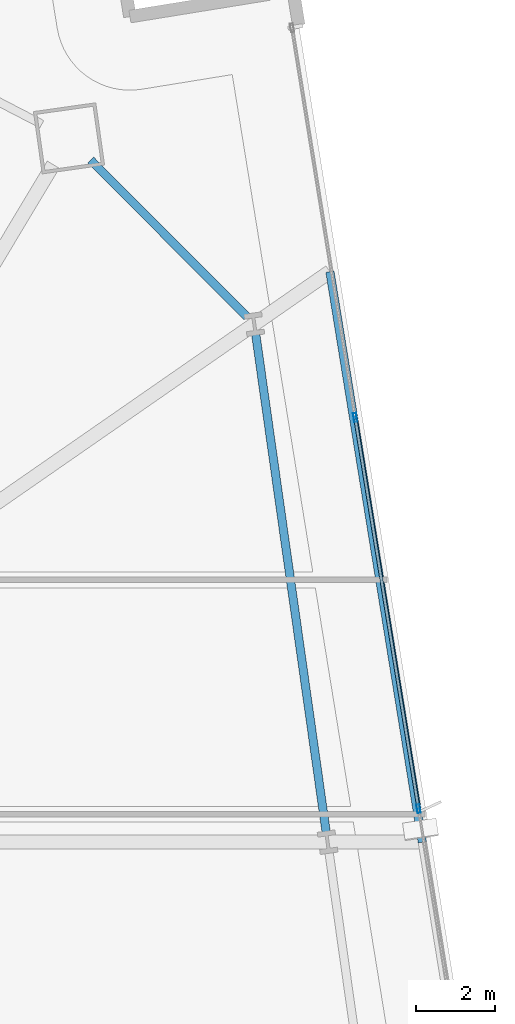
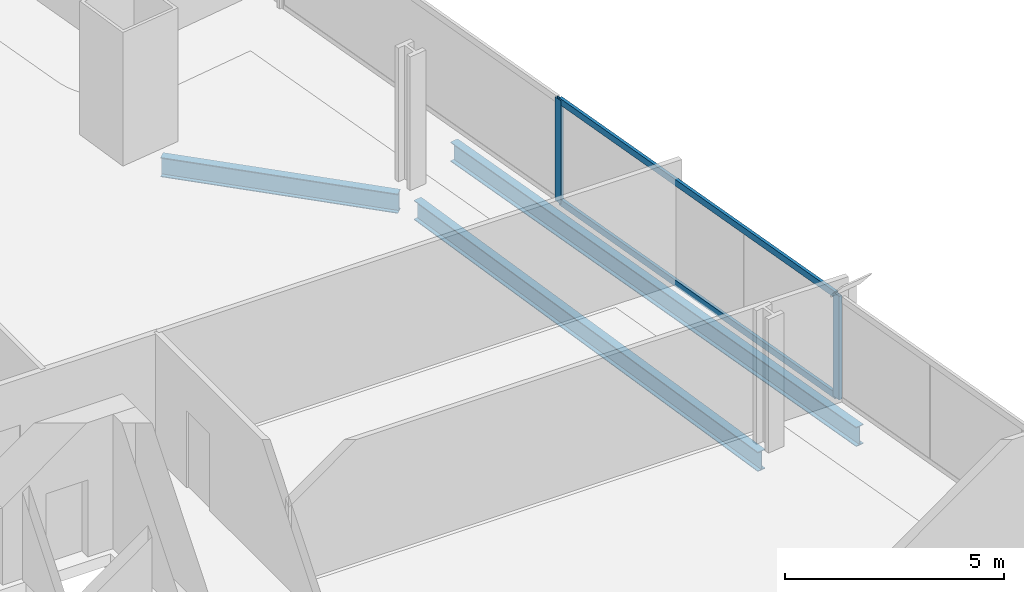
# One storey, part 21 of 33: 4 members, 3 beams, 1 element without a shape of its own.
"""IFC4 building model written with IfcOpenShell, lengths in metres."""

from ifc_helpers import new_model, si_unit, direction, frame, origin, origin_2d, place, context, subcontext, project, spatial, hollow_rectangle, i_section, extrude, material, material_profile, profile_set, type_object, element, aggregate, save


model = new_model("IFC4")

# Units and contexts
model_context = context("Model", 3, precision=1e-05, world=origin(), true_north=direction((0.0, 1.0)))
body_context = subcontext(model_context, "Body", "Model", "MODEL_VIEW")
ifc_project = project(units=[si_unit("LENGTHUNIT", "METRE"), si_unit("AREAUNIT", "SQUARE_METRE"), si_unit("VOLUMEUNIT", "CUBIC_METRE"), si_unit("PLANEANGLEUNIT", "RADIAN"), si_unit("MASSUNIT", "GRAM", prefix="KILO")], contexts=[model_context])

# Site, building, storey
site_placement = place(None, origin())
site = spatial("IfcSite", under=ifc_project, at=site_placement, CompositionType="ELEMENT")
building_placement = place(site_placement, origin())
building = spatial("IfcBuilding", under=site, at=building_placement, Name="Haldenkirk Collegiate Tower", CompositionType="ELEMENT")
storey_placement = place(building_placement, frame((0.0, 0.0, 58.949951171875)))
storey = spatial("IfcBuildingStorey", under=building, at=storey_placement, Name="L13", CompositionType="ELEMENT", Elevation=58.949951171875)

# Beams
ifc_material_1 = material(Name="Steel ASTM A992 Grade 50", Category="steel")
ifc_material_profile_1 = material_profile(ifc_material_1, i_section(OverallWidth=0.2119140625, OverallDepth=0.5439453125, WebThickness=0.01318359375, FlangeThickness=0.021240234375, at=origin_2d()), Name="W21X83")
ifc_profile_set_1 = profile_set([ifc_material_profile_1], Name="Steel ASTM A992 Grade 50")
beam_type = type_object("IfcBeamType", Name="BM-SPANDREL-W21X83", PredefinedType="SPANDREL", material=ifc_profile_set_1)
beam_1_placement = place(storey_placement, frame((59.716552734375, 30.050537109375, -0.58203125), z_axis=(-0.140052642207, 0.990144058918, 0.0), x_axis=(-0.990144058918, -0.140052642207, 0.0)))
element("IfcBeam", 1, at=beam_1_placement, inside=storey, type_object=beam_type, Name="L13 perimeter spandrel beam 07", PredefinedType="SPANDREL", context=body_context, shape_type="SweptSolid", body=[
    extrude(i_section(OverallWidth=0.2119140625, OverallDepth=0.5439453125, WebThickness=0.01318359375, FlangeThickness=0.021240234375, at=origin_2d()), origin(), (0.0, 0.0, 1.0), 12.761962890625),
])
beam_2_placement = place(storey_placement, frame((57.70556640625, 43.135986328125, -0.58203125), z_axis=(-0.706085689957, 0.708126400043, 0.0), x_axis=(-0.708126400043, -0.706085689957, 0.0)))
element("IfcBeam", 2, at=beam_2_placement, inside=storey, type_object=beam_type, Name="L13 perimeter spandrel beam 08", PredefinedType="SPANDREL", context=body_context, shape_type="SweptSolid", body=[
    extrude(i_section(OverallWidth=0.2119140625, OverallDepth=0.5439453125, WebThickness=0.01318359375, FlangeThickness=0.021240234375, at=origin_2d()), origin(), (0.0, 0.0, 1.0), 5.622802734375),
])
beam_3_placement = place(storey_placement, frame((62.16064453125, 29.788818359375, -0.58203125), z_axis=(-0.159883294714, 0.987135923808, 0.0), x_axis=(-0.987135923808, -0.159883294714, 0.0)))
element("IfcBeam", 3, at=beam_3_placement, inside=storey, type_object=beam_type, Name="L13 outer facade edge beam 2B", PredefinedType="SPANDREL", context=body_context, shape_type="SweptSolid", body=[
    extrude(i_section(OverallWidth=0.2119140625, OverallDepth=0.5439453125, WebThickness=0.01318359375, FlangeThickness=0.021240234375, at=origin_2d()), origin(), (0.0, 0.0, 1.0), 14.68212890625),
])

# Curtain wall, members
ifc_material_2 = material(Name="Anodised architectural bronze aluminium", Category="aluminium")
curtain_wall_type = type_object("IfcCurtainWallType", Name="CW-SYS1-CONVEX-LOW", PredefinedType="USERDEFINED", material=ifc_material_2)
curtain_wall_placement = place(storey_placement, origin())
curtain_wall = element("IfcCurtainWall", 4, at=curtain_wall_placement, inside=storey, type_object=curtain_wall_type, Name="L13 Lower tower convex bronze-framed unitised curtain wall", ObjectType="UNITISED CURTAIN WALL", PredefinedType="USERDEFINED")
ifc_material_profile_2 = material_profile(ifc_material_2, hollow_rectangle(XDim=0.080078125, YDim=0.219970703125, WallThickness=0.0048828125, at=origin_2d()), Name="CW-MUL-1A")
ifc_profile_set_2 = profile_set([ifc_material_profile_2], Name="Anodised architectural bronze aluminium")
member_type_1 = type_object("IfcMemberType", Name="CW-MUL-1A", PredefinedType="MULLION", material=ifc_profile_set_2)
member_1_placement = place(storey_placement, frame((60.45361328125, 40.578369140625, 0.0), z_axis=(0.0, 0.0, 1.0), x_axis=(0.987136378374, 0.159880488152, 0.0)))
member_1 = element("IfcMember", 5, at=member_1_placement, type_object=member_type_1, Name="CW-1A mullion 2", PredefinedType="MULLION", context=body_context, shape_type="SweptSolid", body=[
    extrude(hollow_rectangle(XDim=0.080078125, YDim=0.219970703125, WallThickness=0.0048828125, at=origin_2d()), origin(), (0.0, 0.0, 1.0), 2.89111328125),
])
member_2_placement = place(storey_placement, frame((62.0634765625, 30.63916015625, 0.0), z_axis=(0.0, 0.0, 1.0), x_axis=(0.987136378374, 0.159880488152, 0.0)))
member_2 = element("IfcMember", 6, at=member_2_placement, type_object=member_type_1, Name="CW-1A mullion 3", PredefinedType="MULLION", context=body_context, shape_type="SweptSolid", body=[
    extrude(hollow_rectangle(XDim=0.080078125, YDim=0.219970703125, WallThickness=0.0048828125, at=origin_2d()), origin(), (0.0, 0.0, 1.0), 2.89111328125),
])
ifc_material_profile_3 = material_profile(ifc_material_2, hollow_rectangle(XDim=0.080078125, YDim=0.179931640625, WallThickness=0.0048828125, at=origin_2d()), Name="CW-TRN-1A")
ifc_profile_set_3 = profile_set([ifc_material_profile_3], Name="Anodised architectural bronze aluminium")
member_type_2 = type_object("IfcMemberType", Name="CW-TRN-1A", PredefinedType="USERDEFINED", material=ifc_profile_set_3)
member_3_placement = place(storey_placement, frame((60.460205078125, 40.5390625, 0.0400390625), z_axis=(0.159870979599, -0.987137918369, 0.0), x_axis=(0.987137918369, 0.159870979599, 0.0)))
member_3 = element("IfcMember", 7, at=member_3_placement, type_object=member_type_2, Name="CW-1A transom 2.1", ObjectType="TRANSOM", PredefinedType="USERDEFINED", context=body_context, shape_type="SweptSolid", body=[
    extrude(hollow_rectangle(XDim=0.080078125, YDim=0.179931640625, WallThickness=0.0048828125, at=origin_2d()), origin(), (0.0, 0.0, 1.0), 9.98876953125),
])
member_4_placement = place(storey_placement, frame((60.460205078125, 40.5390625, 2.85107421875), z_axis=(0.159870979599, -0.987137918369, 0.0), x_axis=(0.987137918369, 0.159870979599, 0.0)))
member_4 = element("IfcMember", 8, at=member_4_placement, type_object=member_type_2, Name="CW-1A transom 2.2", ObjectType="TRANSOM", PredefinedType="USERDEFINED", context=body_context, shape_type="SweptSolid", body=[
    extrude(hollow_rectangle(XDim=0.080078125, YDim=0.179931640625, WallThickness=0.0048828125, at=origin_2d()), origin(), (0.0, 0.0, 1.0), 9.98876953125),
])
aggregate(curtain_wall, [member_1, member_2, member_3, member_4])

save(model, "model.ifc")
